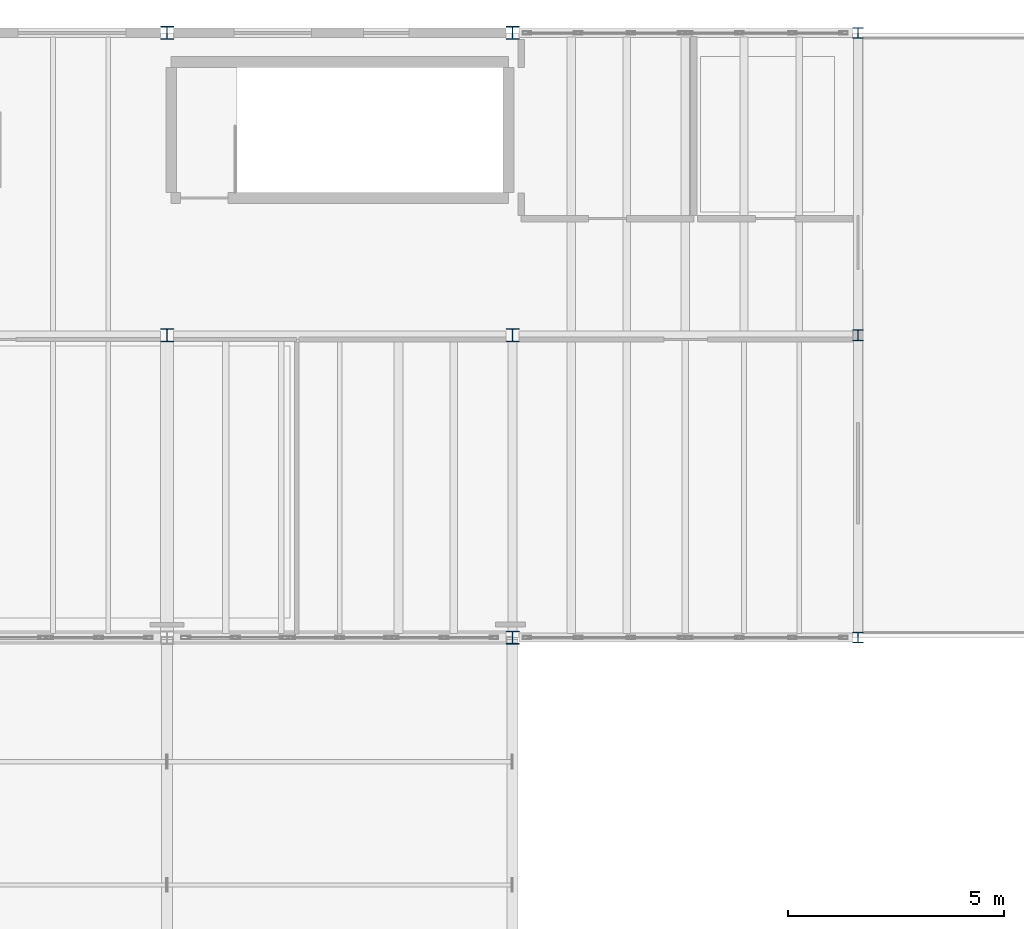
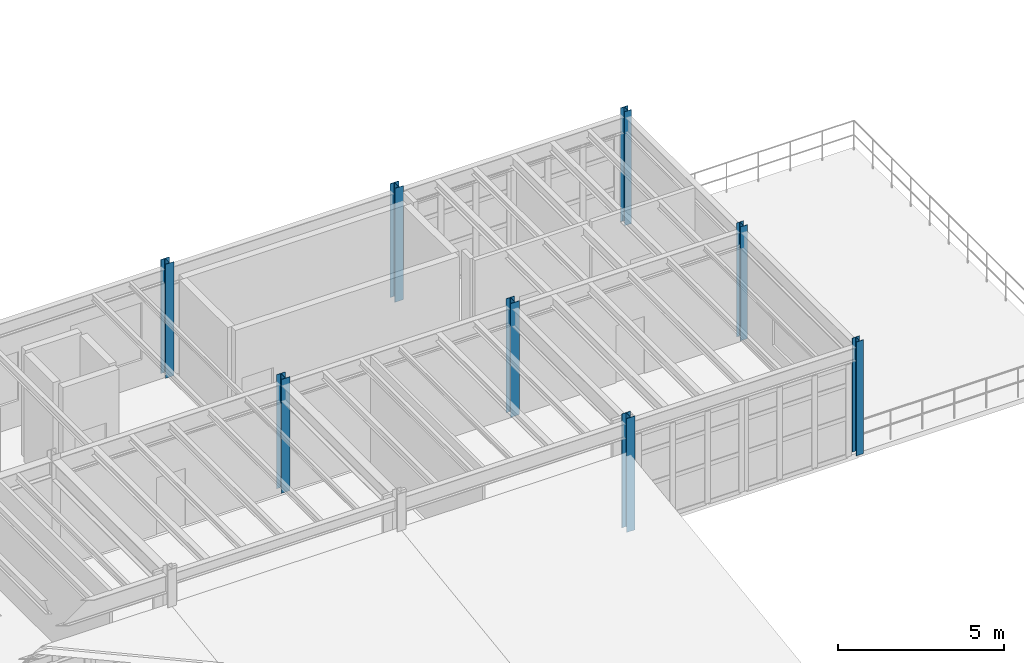
# One storey, part 2 of 77: 8 columns.
"""IFC4 building model written with IfcOpenShell, lengths in metres."""

from ifc_helpers import new_model, si_unit, direction, frame, origin, origin_2d, place, context, subcontext, project, spatial, i_section, extrude, material, material_profile, profile_set, type_object, element, save


model = new_model("IFC4")

# Units and contexts
model_context = context("Model", 3, precision=1e-05, world=origin(), true_north=direction((0.0, 1.0)))
body_context = subcontext(model_context, "Body", "Model", "MODEL_VIEW")
ifc_project = project(units=[si_unit("LENGTHUNIT", "METRE"), si_unit("AREAUNIT", "SQUARE_METRE"), si_unit("VOLUMEUNIT", "CUBIC_METRE"), si_unit("PLANEANGLEUNIT", "RADIAN"), si_unit("MASSUNIT", "GRAM", prefix="KILO"), si_unit("THERMODYNAMICTEMPERATUREUNIT", "KELVIN"), si_unit("POWERUNIT", "WATT")], contexts=[model_context])

# Site, building, storey
site_placement = place(None, origin())
site = spatial("IfcSite", under=ifc_project, at=site_placement, CompositionType="ELEMENT")
building_placement = place(site_placement, origin())
building = spatial("IfcBuilding", under=site, at=building_placement, Name="Zhenchuan Central Fire Station", CompositionType="ELEMENT")
storey_placement = place(building_placement, frame((0.0, 0.0, 10.050048828125)))
storey = spatial("IfcBuildingStorey", under=building, at=storey_placement, Name="L03", CompositionType="ELEMENT", Elevation=10.050048828125)

# Columns
ifc_material = material(Name="Steel Q355B", Category="steel")
ifc_material_profile_1 = material_profile(ifc_material, i_section(OverallWidth=0.25, OverallDepth=0.25, WebThickness=0.009033203125, FlangeThickness=0.013916015625, FilletRadius=0.01611328125, at=origin_2d()), Name="HW 250x250")
ifc_profile_set_1 = profile_set([ifc_material_profile_1], Name="Steel Q355B")
column_type_1 = type_object("IfcColumnType", Name="COL-HW250", PredefinedType="COLUMN", material=ifc_profile_set_1)
for number, where, z_axis, x_axis, name in (
    (1, (48.0, 42.5, 0.0), (0.0, 0.0, 1.0), (1.0, 0.0, 0.0), "L03 Column 019"),
    (2, (48.0, 49.5, 0.0), (0.0, 0.0, 1.0), (1.0, 0.0, 0.0), "L03 Column 020"),
):
    element("IfcColumn", number, at=place(storey_placement, frame(where, z_axis=z_axis, x_axis=x_axis)), inside=storey, type_object=column_type_1, Name=name, PredefinedType="COLUMN", context=body_context, shape_type="SweptSolid", body=[
        extrude(i_section(OverallWidth=0.25, OverallDepth=0.25, WebThickness=0.009033203125, FlangeThickness=0.013916015625, FilletRadius=0.01611328125, at=origin_2d()), origin(), (0.0, 0.0, 1.0), 4.199951171875),
    ])
ifc_material_profile_2 = material_profile(ifc_material, i_section(OverallWidth=0.25, OverallDepth=0.25, WebThickness=0.009033203125, FlangeThickness=0.013916015625, FilletRadius=0.01611328125, at=origin_2d()), Name="HW 250x250")
ifc_profile_set_2 = profile_set([ifc_material_profile_2], Name="Steel Q355B")
column_type_2 = type_object("IfcColumnType", Name="COL-HW250-EXT", PredefinedType="COLUMN", material=ifc_profile_set_2)
column_placement = place(storey_placement, frame((48.0, 56.5, 0.0), z_axis=(0.0, 0.0, 1.0), x_axis=(1.0, 0.0, 0.0)))
element("IfcColumn", 3, at=column_placement, inside=storey, type_object=column_type_2, Name="L03 Column 021", PredefinedType="COLUMN", context=body_context, shape_type="SweptSolid", body=[
    extrude(i_section(OverallWidth=0.25, OverallDepth=0.25, WebThickness=0.009033203125, FlangeThickness=0.013916015625, FilletRadius=0.01611328125, at=origin_2d()), origin(), (0.0, 0.0, 1.0), 4.199951171875),
])
ifc_material_profile_3 = material_profile(ifc_material, i_section(OverallWidth=0.300048828125, OverallDepth=0.300048828125, WebThickness=0.010009765625, FlangeThickness=0.014892578125, FilletRadius=0.01806640625, at=origin_2d()), Name="HW 300x300")
ifc_profile_set_3 = profile_set([ifc_material_profile_3], Name="Steel Q355B")
column_type_3 = type_object("IfcColumnType", Name="COL-HW300", PredefinedType="COLUMN", material=ifc_profile_set_3)
for number, where, z_axis, x_axis, name in (
    (4, (32.0, 56.5, 0.0), (0.0, 0.0, 1.0), (1.0, 0.0, 0.0), "L03 Column 015"),
    (5, (40.0, 56.5, 0.0), (0.0, 0.0, 1.0), (1.0, 0.0, 0.0), "L03 Column 018"),
):
    element("IfcColumn", number, at=place(storey_placement, frame(where, z_axis=z_axis, x_axis=x_axis)), inside=storey, type_object=column_type_3, Name=name, PredefinedType="COLUMN", context=body_context, shape_type="SweptSolid", body=[
        extrude(i_section(OverallWidth=0.300048828125, OverallDepth=0.300048828125, WebThickness=0.010009765625, FlangeThickness=0.014892578125, FilletRadius=0.01806640625, at=origin_2d()), origin(), (0.0, 0.0, 1.0), 4.199951171875),
    ])
ifc_material_profile_4 = material_profile(ifc_material, i_section(OverallWidth=0.300048828125, OverallDepth=0.300048828125, WebThickness=0.010009765625, FlangeThickness=0.014892578125, FilletRadius=0.01806640625, at=origin_2d()), Name="HW 300x300")
ifc_profile_set_4 = profile_set([ifc_material_profile_4], Name="Steel Q355B")
column_type_4 = type_object("IfcColumnType", Name="COL-HW300-INT", PredefinedType="COLUMN", material=ifc_profile_set_4)
for number, where, z_axis, x_axis, name in (
    (6, (32.0, 49.5, 0.0), (0.0, 0.0, 1.0), (1.0, 0.0, 0.0), "L03 Column 014"),
    (7, (40.0, 42.5, 0.0), (0.0, 0.0, 1.0), (1.0, 0.0, 0.0), "L03 Column 016"),
    (8, (40.0, 49.5, 0.0), (0.0, 0.0, 1.0), (1.0, 0.0, 0.0), "L03 Column 017"),
):
    element("IfcColumn", number, at=place(storey_placement, frame(where, z_axis=z_axis, x_axis=x_axis)), inside=storey, type_object=column_type_4, Name=name, PredefinedType="COLUMN", context=body_context, shape_type="SweptSolid", body=[
        extrude(i_section(OverallWidth=0.300048828125, OverallDepth=0.300048828125, WebThickness=0.010009765625, FlangeThickness=0.014892578125, FilletRadius=0.01806640625, at=origin_2d()), origin(), (0.0, 0.0, 1.0), 4.199951171875),
    ])

save(model, "model.ifc")
